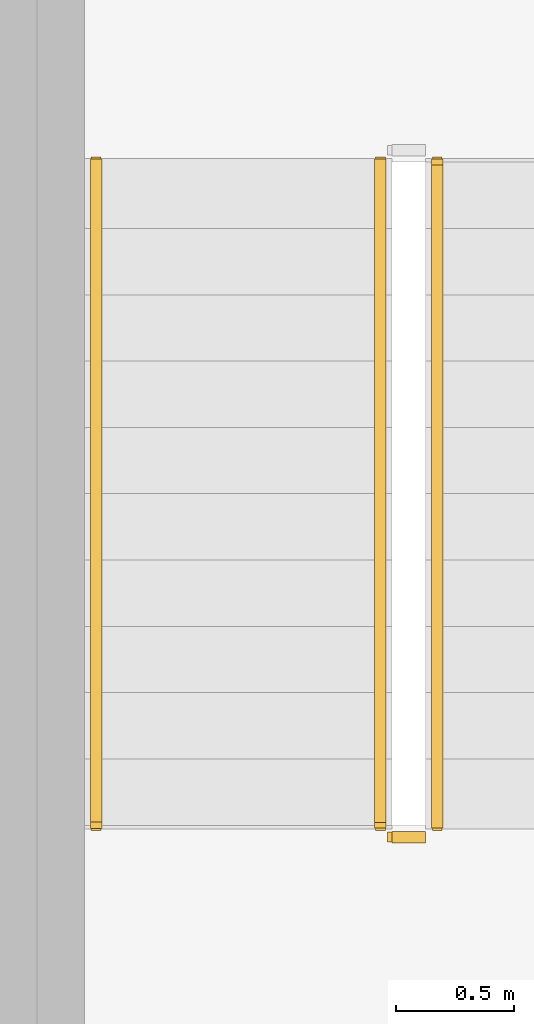
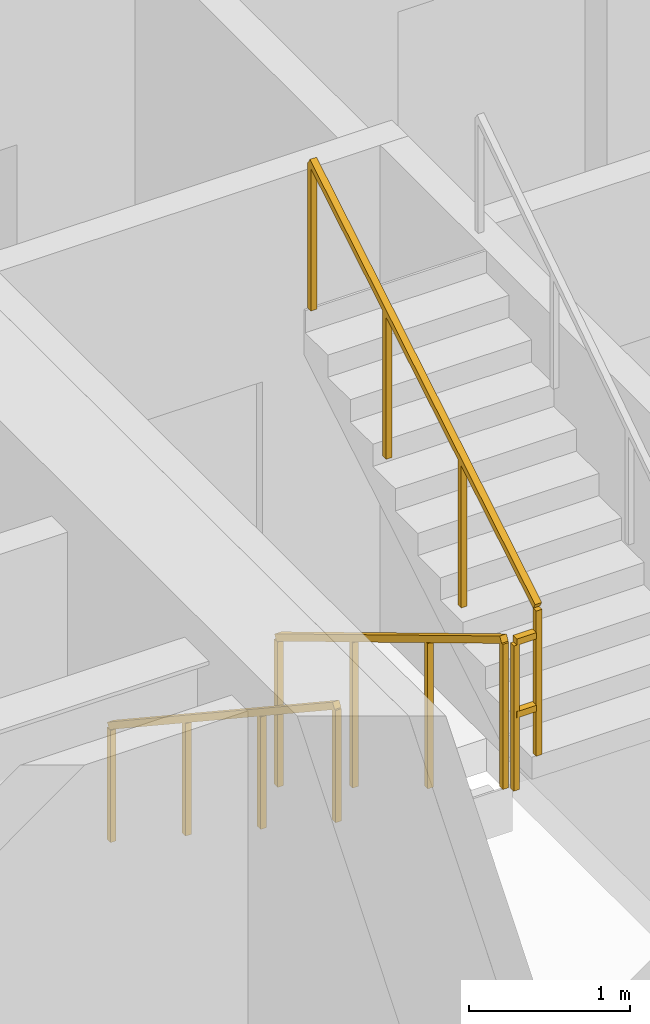
# One storey, part 14 of 18: 4 railings.
"""IFC4 building model written with IfcOpenShell, lengths in metres."""

from ifc_helpers import new_model, si_unit, derived_unit, direction, frame, origin, origin_2d, place, context, subcontext, project, spatial, rectangle, extrude, material, type_object, element, save


model = new_model("IFC4")

# Units and contexts
model_context = context("Model", 3, precision=1e-05, world=origin(), true_north=direction((0.0, 1.0)))
body_context = subcontext(model_context, "Body", "Model", "MODEL_VIEW")
ifc_project = project(units=[si_unit("LENGTHUNIT", "METRE"), si_unit("AREAUNIT", "SQUARE_METRE"), si_unit("VOLUMEUNIT", "CUBIC_METRE"), si_unit("PLANEANGLEUNIT", "RADIAN"), si_unit("MASSUNIT", "GRAM", prefix="KILO"), si_unit("THERMODYNAMICTEMPERATUREUNIT", "KELVIN"), si_unit("POWERUNIT", "WATT"), derived_unit("THERMALTRANSMITTANCEUNIT", [(si_unit("POWERUNIT", "WATT"), 1), (si_unit("AREAUNIT", "SQUARE_METRE"), -1), (si_unit("THERMODYNAMICTEMPERATUREUNIT", "KELVIN"), -1)])], contexts=[model_context])

# Site, building, storey
site_placement = place(None, origin())
site = spatial("IfcSite", under=ifc_project, at=site_placement, CompositionType="ELEMENT")
building_placement = place(site_placement, origin())
building = spatial("IfcBuilding", under=site, at=building_placement, Name="Zahravan Archway Hotel and Residences", CompositionType="ELEMENT")
storey_placement = place(building_placement, frame((0.0, 0.0, 58.300048828125)))
storey = spatial("IfcBuildingStorey", under=building, at=storey_placement, Name="L13", CompositionType="ELEMENT", Elevation=58.300048828125)

# Railings
ifc_material_1 = material(Name="Painted Tubular Steel", Category="steel")
railing_type_1 = type_object("IfcRailingType", Name="RL-STG-1150", PredefinedType="GUARDRAIL", material=ifc_material_1)
railing_1_placement = place(storey_placement, frame((36.550048828125, 9.72998046875, 0.168212890625)))
element("IfcRailing", 1, at=railing_1_placement, inside=storey, type_object=railing_type_1, Name="L13 ST-A1 stair guard 1", PredefinedType="GUARDRAIL", context=body_context, shape_type="SweptSolid", body=[
    extrude(rectangle(XDim=0.048095703125, YDim=0.048095703125, at=origin_2d()), frame((0.0, 0.0, 1.1259765625), z_axis=(0.0, -0.857275202839, 0.514858452973), x_axis=(1.0, 0.0, 0.0)), (0.0, 0.0, 1.0), 3.26611328125),
    extrude(rectangle(XDim=0.0419921875, YDim=0.0419921875, at=origin_2d()), origin(), (0.0, 0.0, 1.0), 1.101806640625),
    extrude(rectangle(XDim=0.0419921875, YDim=0.0419921875, at=origin_2d()), frame((0.0, -0.933349609375, 0.560546875)), (0.0, 0.0, 1.0), 1.101806640625),
    extrude(rectangle(XDim=0.0419921875, YDim=0.0419921875, at=origin_2d()), frame((0.0, -1.86669921875, 1.12109375)), (0.0, 0.0, 1.0), 1.101806640625),
    extrude(rectangle(XDim=0.0419921875, YDim=0.0419921875, at=origin_2d()), frame((0.0, -2.800048828125, 1.681640625)), (0.0, 0.0, 1.0), 1.101806640625),
])
railing_2_placement = place(storey_placement, frame((36.60009765625, 6.8798828125, 1.849853515625)))
element("IfcRailing", 2, at=railing_2_placement, inside=storey, type_object=railing_type_1, Name="L13 ST-A1 stair guard 2", PredefinedType="GUARDRAIL", context=body_context, shape_type="SweptSolid", body=[
    extrude(rectangle(XDim=0.048095703125, YDim=0.048095703125, at=origin_2d()), frame((0.0, 0.0, 1.1259765625), z_axis=(1.0, 0.0, 0.0), x_axis=(0.0, 1.0, 0.0)), (0.0, 0.0, 1.0), 0.139892578125),
    extrude(rectangle(XDim=0.048095703125, YDim=0.048095703125, at=origin_2d()), frame((0.0, 0.0, 0.574951171875), z_axis=(1.0, 0.0, 0.0), x_axis=(0.0, 1.0, 0.0)), (0.0, 0.0, 1.0), 0.139892578125),
    extrude(rectangle(XDim=0.0419921875, YDim=0.0419921875, at=origin_2d()), origin(), (0.0, 0.0, 1.0), 1.101806640625),
])
railing_3_placement = place(storey_placement, frame((36.7900390625, 6.929931640625, 2.01806640625)))
element("IfcRailing", 3, at=railing_3_placement, inside=storey, type_object=railing_type_1, Name="L13 ST-A1 stair guard 3", PredefinedType="GUARDRAIL", context=body_context, shape_type="SweptSolid", body=[
    extrude(rectangle(XDim=0.048095703125, YDim=0.048095703125, at=origin_2d()), frame((0.0, 0.0, 1.1259765625), z_axis=(0.0, 0.857242210791, 0.514913383045), x_axis=(-1.0, 0.0, 0.0)), (0.0, 0.0, 1.0), 3.266357421875),
    extrude(rectangle(XDim=0.0419921875, YDim=0.0419921875, at=origin_2d()), origin(), (0.0, 0.0, 1.0), 1.101806640625),
    extrude(rectangle(XDim=0.0419921875, YDim=0.0419921875, at=origin_2d()), frame((0.0, 0.933349609375, 0.560546875)), (0.0, 0.0, 1.0), 1.101806640625),
    extrude(rectangle(XDim=0.0419921875, YDim=0.0419921875, at=origin_2d()), frame((0.0, 1.86669921875, 1.121337890625)), (0.0, 0.0, 1.0), 1.101806640625),
    extrude(rectangle(XDim=0.0419921875, YDim=0.0419921875, at=origin_2d()), frame((0.0, 2.800048828125, 1.681884765625)), (0.0, 0.0, 1.0), 1.101806640625),
])
ifc_material_2 = material(Name="Brushed Stainless Steel", Category="steel")
railing_type_2 = type_object("IfcRailingType", Name="RL-STH-900", PredefinedType="HANDRAIL", material=ifc_material_2)
railing_4_placement = place(storey_placement, frame((35.35009765625, 9.72998046875, 0.168212890625)))
element("IfcRailing", 4, at=railing_4_placement, inside=storey, type_object=railing_type_2, Name="L13 ST-A1 stair handrail 1", PredefinedType="HANDRAIL", context=body_context, shape_type="SweptSolid", body=[
    extrude(rectangle(XDim=0.048095703125, YDim=0.048095703125, at=origin_2d()), frame((0.0, 0.0, 0.8759765625), z_axis=(0.0, -0.83435981716, 0.551220187865), x_axis=(1.0, 0.0, 0.0)), (0.0, 0.0, 1.0), 3.35595703125),
    extrude(rectangle(XDim=0.0419921875, YDim=0.0419921875, at=origin_2d()), origin(), (0.0, 0.0, 1.0), 0.851806640625),
    extrude(rectangle(XDim=0.0419921875, YDim=0.0419921875, at=origin_2d()), frame((0.0, -0.933349609375, 0.61669921875)), (0.0, 0.0, 1.0), 0.851806640625),
    extrude(rectangle(XDim=0.0419921875, YDim=0.0419921875, at=origin_2d()), frame((0.0, -1.86669921875, 1.233154296875)), (0.0, 0.0, 1.0), 0.851806640625),
    extrude(rectangle(XDim=0.0419921875, YDim=0.0419921875, at=origin_2d()), frame((0.0, -2.800048828125, 1.849853515625)), (0.0, 0.0, 1.0), 0.851806640625),
])

save(model, "model.ifc")
